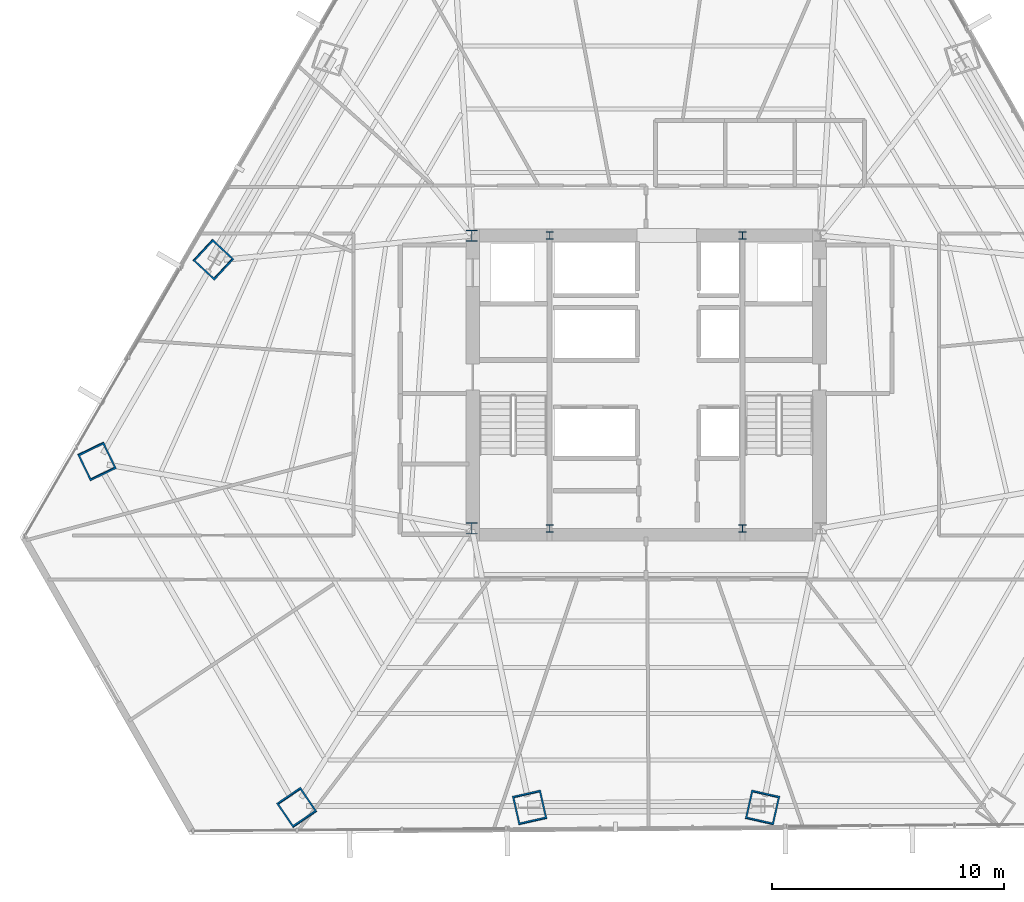
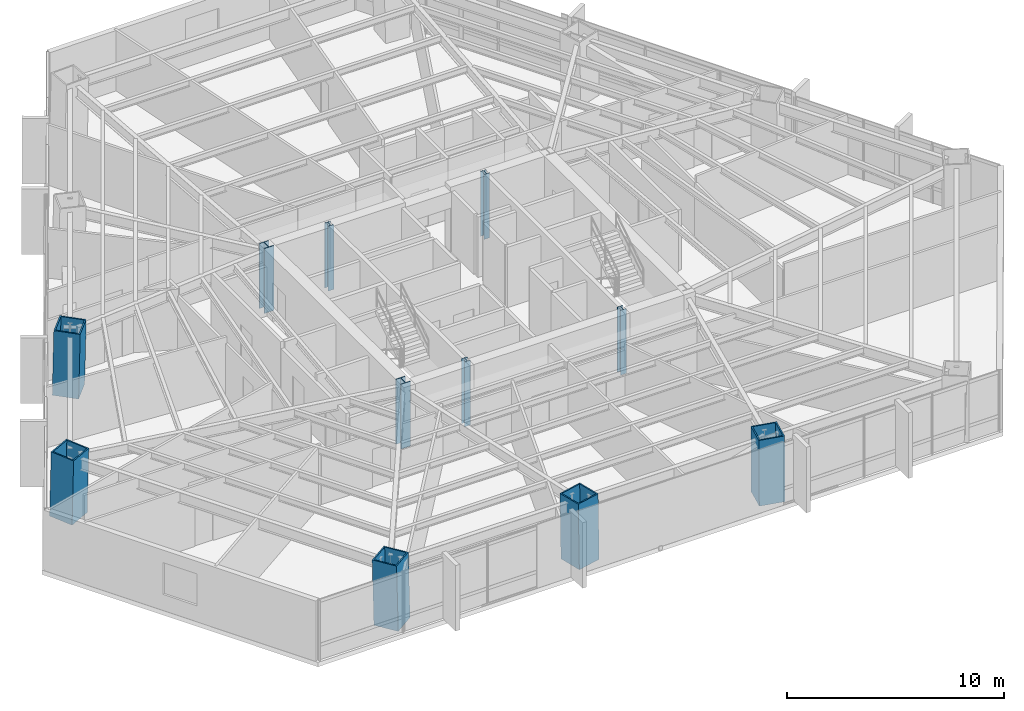
# One storey, part 1 of 34: 11 columns.
"""IFC4 building model written with IfcOpenShell, lengths in metres."""

from ifc_helpers import new_model, si_unit, direction, frame, origin, origin_2d, place, context, subcontext, project, spatial, hollow_rectangle, i_section, extrude, source, transform, mapped, material, material_profile, profile_set, type_object, type_shapes, element, save


model = new_model("IFC4")

# Units and contexts
model_context = context("Model", 3, precision=1e-05, world=origin(), true_north=direction((0.0, 1.0)))
body_context = subcontext(model_context, "Body", "Model", "MODEL_VIEW")
ifc_project = project(units=[si_unit("LENGTHUNIT", "METRE"), si_unit("AREAUNIT", "SQUARE_METRE"), si_unit("VOLUMEUNIT", "CUBIC_METRE"), si_unit("PLANEANGLEUNIT", "RADIAN"), si_unit("MASSUNIT", "GRAM", prefix="KILO")], contexts=[model_context])

# Site, building, storey
site_placement = place(None, origin())
site = spatial("IfcSite", under=ifc_project, at=site_placement, CompositionType="ELEMENT")
building_placement = place(site_placement, origin())
building = spatial("IfcBuilding", under=site, at=building_placement, Name="Caelisora Broadcast Tower", CompositionType="ELEMENT")
storey_placement = place(building_placement, frame((0.0, 0.0, 56.800048828125)))
storey = spatial("IfcBuildingStorey", under=building, at=storey_placement, Name="L14", CompositionType="ELEMENT", Elevation=56.800048828125)

# Columns
ifc_material_1 = material(Name="Steel Grade 350 (AS/NZS 3679.2)", Category="steel")
ifc_material_profile_1 = material_profile(ifc_material_1, i_section(OverallWidth=0.5, OverallDepth=0.5, WebThickness=0.028076171875, FlangeThickness=0.0400390625, at=origin_2d()), Name="Steel Grade 350 (AS/NZS 3679.2)")
ifc_profile_set_1 = profile_set([ifc_material_profile_1], Name="Steel Grade 350 (AS/NZS 3679.2)")
column_type_1 = type_object("IfcColumnType", Name="CC01", PredefinedType="COLUMN", material=ifc_profile_set_1)
shared_shape_1 = source(origin(), body_context, "Body", "SweptSolid", [
    extrude(i_section(OverallWidth=0.5, OverallDepth=0.5, WebThickness=0.028076171875, FlangeThickness=0.0400390625, at=origin_2d()), origin(), (0.0, 0.0, 1.0), 3.64990234375),
])
type_shapes(column_type_1, [shared_shape_1])
for number, where, z_axis, x_axis, name in (
    (1, (30.5, 17.39990234375, 0.0), (0.0, 0.0, 1.0), (1.0, 0.0, 0.0), "L14 column CC01"),
    (2, (30.5, 30.0, 0.0), (0.0, 0.0, 1.0), (1.0, 0.0, 0.0), "L14 column CC01"),
):
    element("IfcColumn", number, at=place(storey_placement, frame(where, z_axis=z_axis, x_axis=x_axis)), inside=storey, type_object=column_type_1, Name=name, PredefinedType="COLUMN", context=body_context, shape_type="MappedRepresentation", body=[
        mapped(shared_shape_1, transform((0.0, 0.0, 0.0), scale=1.0)),
    ])
ifc_material_2 = material(Name="Steel Grade 350 (AS/NZS 3679.1)", Category="steel")
ifc_material_profile_2 = material_profile(ifc_material_2, i_section(OverallWidth=0.306884765625, OverallDepth=0.314697265625, WebThickness=0.011962890625, FlangeThickness=0.018798828125, at=origin_2d()), Name="Steel Grade 350 (AS/NZS 3679.1)")
ifc_profile_set_2 = profile_set([ifc_material_profile_2], Name="Steel Grade 350 (AS/NZS 3679.1)")
column_type_2 = type_object("IfcColumnType", Name="CC04", PredefinedType="COLUMN", material=ifc_profile_set_2)
shared_shape_2 = source(origin(), body_context, "Body", "SweptSolid", [
    extrude(i_section(OverallWidth=0.306884765625, OverallDepth=0.314697265625, WebThickness=0.011962890625, FlangeThickness=0.018798828125, at=origin_2d()), origin(), (0.0, 0.0, 1.0), 3.64990234375),
])
type_shapes(column_type_2, [shared_shape_2])
for number, where, z_axis, x_axis, name in (
    (3, (33.85009765625, 17.39990234375, 0.0), (0.0, 0.0, 1.0), (1.0, 0.0, 0.0), "L14 column CC04"),
    (4, (42.14990234375, 17.39990234375, 0.0), (0.0, 0.0, 1.0), (1.0, 0.0, 0.0), "L14 column CC04"),
    (5, (33.85009765625, 30.0, 0.0), (0.0, 0.0, 1.0), (1.0, 0.0, 0.0), "L14 column CC04"),
    (6, (42.14990234375, 30.0, 0.0), (0.0, 0.0, 1.0), (1.0, 0.0, 0.0), "L14 column CC04"),
):
    element("IfcColumn", number, at=place(storey_placement, frame(where, z_axis=z_axis, x_axis=x_axis)), inside=storey, type_object=column_type_2, Name=name, PredefinedType="COLUMN", context=body_context, shape_type="MappedRepresentation", body=[
        mapped(shared_shape_2, transform((0.0, 0.0, 0.0), scale=1.0)),
    ])
ifc_material_3 = material(Name="Steel Grade 350 L15 (AS/NZS 3678)", Category="steel")
ifc_material_profile_3 = material_profile(ifc_material_3, hollow_rectangle(XDim=1.25, YDim=1.25, WallThickness=0.070068359375, at=origin_2d()), Name="Steel Grade 350 L15 (AS/NZS 3678)")
ifc_profile_set_3 = profile_set([ifc_material_profile_3], Name="Steel Grade 350 L15 (AS/NZS 3678)")
column_type_3 = type_object("IfcColumnType", Name="MC02", PredefinedType="COLUMN", material=ifc_profile_set_3)
shared_shape_3 = source(origin(), body_context, "Body", "SweptSolid", [
    extrude(hollow_rectangle(XDim=1.25, YDim=1.25, WallThickness=0.070068359375, at=origin_2d()), origin(), (0.0, 0.0, 1.0), 3.65087890625),
])
for number, where, z_axis, x_axis, name in (
    (7, (14.3603515625, 20.298095703125, 0.0), (0.010431795422, -0.021532295679, 0.999713727968), (0.899947055326, 0.435999194506, 0.0), "L14 column MC02"),
    (8, (22.974365234375, 5.37841796875, 0.0), (-0.013440967269, 0.019793663242, 0.999713734673), (-0.827290216258, -0.561774775229, 0.0), "L14 column MC02"),
):
    element("IfcColumn", number, at=place(storey_placement, frame(where, z_axis=z_axis, x_axis=x_axis)), inside=storey, type_object=column_type_3, Name=name, PredefinedType="COLUMN", context=body_context, shape_type="MappedRepresentation", body=[
        mapped(shared_shape_3, transform((0.0, 0.0, 0.0), scale=1.0)),
    ])
shared_shape_4 = source(origin(), body_context, "Body", "SweptSolid", [
    extrude(hollow_rectangle(XDim=1.25, YDim=1.25, WallThickness=0.070068359375, at=origin_2d()), origin(), (0.0, 0.0, 1.0), 3.650634765625),
])
type_shapes(column_type_3, [shared_shape_3, shared_shape_4])
for number, where, z_axis, x_axis, name in (
    (9, (19.368896484375, 28.973388671875, 0.0), (0.014913299626, -0.013843287097, 0.999792957015), (0.680325028146, 0.732910537568, 0.0), "L14 column MC02"),
    (10, (32.991455078125, 5.37841796875, 0.0), (-0.004480682206, 0.019795252729, 0.999794014513), (-0.975326687046, -0.220766513622, 0.0), "L14 column MC02"),
    (11, (43.008544921875, 5.37841796875, 0.0), (0.004480682206, 0.019795252729, 0.999794014513), (-0.975326687046, 0.220766513622, 0.0), "L14 column MC02"),
):
    element("IfcColumn", number, at=place(storey_placement, frame(where, z_axis=z_axis, x_axis=x_axis)), inside=storey, type_object=column_type_3, Name=name, PredefinedType="COLUMN", context=body_context, shape_type="MappedRepresentation", body=[
        mapped(shared_shape_4, transform((0.0, 0.0, 0.0), scale=1.0)),
    ])

save(model, "model.ifc")
